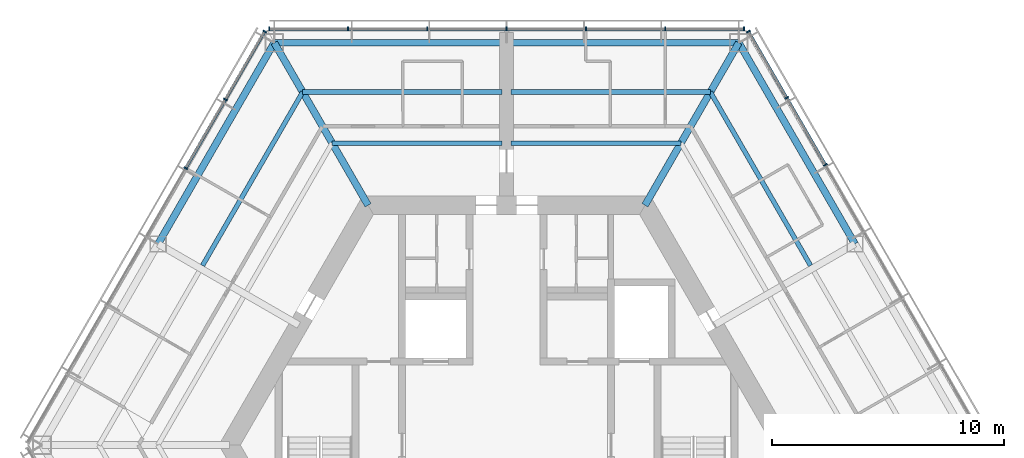
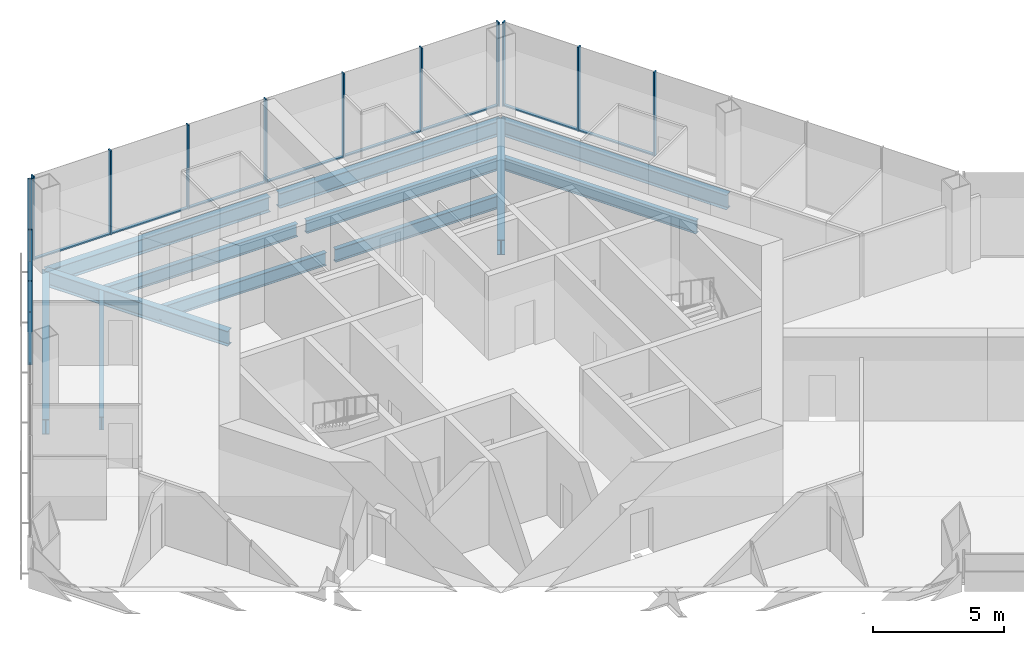
# One storey, part 5 of 13: 23 members, 12 beams, 3 elements without a shape of their own.
"""IFC4 building model written with IfcOpenShell, lengths in metres."""

from ifc_helpers import new_model, si_unit, direction, frame, origin, origin_2d, place, context, subcontext, project, spatial, rectangle, i_section, extrude, material, material_profile, profile_set, type_object, element, aggregate, save


model = new_model("IFC4")

# Units and contexts
model_context = context("Model", 3, precision=1e-05, world=origin(), true_north=direction((0.0, 1.0)))
body_context = subcontext(model_context, "Body", "Model", "MODEL_VIEW")
ifc_project = project(units=[si_unit("LENGTHUNIT", "METRE"), si_unit("AREAUNIT", "SQUARE_METRE"), si_unit("VOLUMEUNIT", "CUBIC_METRE"), si_unit("PLANEANGLEUNIT", "RADIAN"), si_unit("MASSUNIT", "GRAM", prefix="KILO")], contexts=[model_context])

# Site, building, storey
site_placement = place(None, origin())
site = spatial("IfcSite", under=ifc_project, at=site_placement, CompositionType="ELEMENT")
building_placement = place(site_placement, origin())
building = spatial("IfcBuilding", under=site, at=building_placement, Name="Kasaneha Research Tower", CompositionType="ELEMENT")
storey_placement = place(building_placement, frame((0.0, 0.0, 279.10009765625)))
storey = spatial("IfcBuildingStorey", under=building, at=storey_placement, Name="L70", CompositionType="ELEMENT", Elevation=279.10009765625)

# Beams
ifc_material_1 = material(Name="Steel SN490B", Category="steel")
ifc_material_profile_1 = material_profile(ifc_material_1, i_section(OverallWidth=0.199951171875, OverallDepth=0.60009765625, WebThickness=0.010986328125, FlangeThickness=0.01708984375, FilletRadius=0.012939453125, at=origin_2d()), Name="H-600x200x11x17")
ifc_profile_set_1 = profile_set([ifc_material_profile_1], Name="Steel SN490B")
beam_type_1 = type_object("IfcBeamType", Name="B1-3 secondary beam H-600x200x11x17", PredefinedType="JOIST", material=ifc_profile_set_1)
beam_1_placement = place(storey_placement, frame((8.775634765625, 15.199951171875, -0.4501953125), z_axis=(0.500017275495, -0.866015429543, 0.0), x_axis=(0.866015429543, 0.500017275495, 0.0)))
element("IfcBeam", 1, at=beam_1_placement, inside=storey, type_object=beam_type_1, Name="Secondary beam RS030R2 L70", PredefinedType="JOIST", context=body_context, shape_type="SweptSolid", body=[
    extrude(i_section(OverallWidth=0.199951171875, OverallDepth=0.60009765625, WebThickness=0.010986328125, FlangeThickness=0.01708984375, FilletRadius=0.012939453125, at=origin_2d()), origin(), (0.0, 0.0, 1.0), 8.625732421875),
])
beam_2_placement = place(storey_placement, frame((7.505615234375, 13.0, -0.4501953125), z_axis=(-1.0, 0.0, 0.0), x_axis=(0.0, -1.0, 0.0)))
element("IfcBeam", 2, at=beam_2_placement, inside=storey, type_object=beam_type_1, Name="Secondary beam RS090L1 L70", PredefinedType="JOIST", context=body_context, shape_type="SweptSolid", body=[
    extrude(i_section(OverallWidth=0.199951171875, OverallDepth=0.60009765625, WebThickness=0.010986328125, FlangeThickness=0.01708984375, FilletRadius=0.012939453125, at=origin_2d()), origin(), (0.0, 0.0, 1.0), 7.3056640625),
])
beam_3_placement = place(storey_placement, frame((8.775634765625, 15.199951171875, -0.4501953125), z_axis=(-1.0, 0.0, 0.0), x_axis=(0.0, -1.0, 0.0)))
element("IfcBeam", 3, at=beam_3_placement, inside=storey, type_object=beam_type_1, Name="Secondary beam RS090L2 L70", PredefinedType="JOIST", context=body_context, shape_type="SweptSolid", body=[
    extrude(i_section(OverallWidth=0.199951171875, OverallDepth=0.60009765625, WebThickness=0.010986328125, FlangeThickness=0.01708984375, FilletRadius=0.012939453125, at=origin_2d()), origin(), (0.0, 0.0, 1.0), 8.57568359375),
])
beam_4_placement = place(storey_placement, frame((-7.505615234375, 13.0, -0.4501953125), z_axis=(1.0, 0.0, 0.0), x_axis=(0.0, 1.0, 0.0)))
element("IfcBeam", 4, at=beam_4_placement, inside=storey, type_object=beam_type_1, Name="Secondary beam RS090R1 L70", PredefinedType="JOIST", context=body_context, shape_type="SweptSolid", body=[
    extrude(i_section(OverallWidth=0.199951171875, OverallDepth=0.60009765625, WebThickness=0.010986328125, FlangeThickness=0.01708984375, FilletRadius=0.012939453125, at=origin_2d()), origin(), (0.0, 0.0, 1.0), 7.3056640625),
])
beam_5_placement = place(storey_placement, frame((-8.775634765625, 15.199951171875, -0.4501953125), z_axis=(1.0, 0.0, 0.0), x_axis=(0.0, 1.0, 0.0)))
element("IfcBeam", 5, at=beam_5_placement, inside=storey, type_object=beam_type_1, Name="Secondary beam RS090R2 L70", PredefinedType="JOIST", context=body_context, shape_type="SweptSolid", body=[
    extrude(i_section(OverallWidth=0.199951171875, OverallDepth=0.60009765625, WebThickness=0.010986328125, FlangeThickness=0.01708984375, FilletRadius=0.012939453125, at=origin_2d()), origin(), (0.0, 0.0, 1.0), 8.57568359375),
])
beam_6_placement = place(storey_placement, frame((-8.775634765625, 15.199951171875, -0.4501953125), z_axis=(-0.500017275495, -0.866015429543, 0.0), x_axis=(0.866015429543, -0.500017275495, 0.0)))
element("IfcBeam", 6, at=beam_6_placement, inside=storey, type_object=beam_type_1, Name="Secondary beam RS150L2 L70", PredefinedType="JOIST", context=body_context, shape_type="SweptSolid", body=[
    extrude(i_section(OverallWidth=0.199951171875, OverallDepth=0.60009765625, WebThickness=0.010986328125, FlangeThickness=0.01708984375, FilletRadius=0.012939453125, at=origin_2d()), origin(), (0.0, 0.0, 1.0), 8.625732421875),
])

# Curtain wall, members
ifc_material_2 = material(Name="Glass and aluminium", Category="aluminium")
curtain_wall_type = type_object("IfcCurtainWallType", Name="Crown curtain wall", PredefinedType="USERDEFINED", material=ifc_material_2)
curtain_wall_1_placement = place(storey_placement, origin())
curtain_wall_1 = element("IfcCurtainWall", 7, at=curtain_wall_1_placement, inside=storey, type_object=curtain_wall_type, Name="CW-C L70 run 01a", ObjectType="UNITISED CURTAIN WALL", PredefinedType="USERDEFINED")
ifc_material_3 = material(Name="Aluminium 6063-T6", Category="aluminium")
ifc_material_profile_2 = material_profile(ifc_material_3, rectangle(XDim=0.06005859375, YDim=0.179931640625, at=origin_2d()), Name="CW-C mullion 60x180")
ifc_profile_set_2 = profile_set([ifc_material_profile_2], Name="Aluminium 6063-T6")
member_type_1 = type_object("IfcMemberType", Name="CW-C mullion", PredefinedType="MULLION", material=ifc_profile_set_2)
member_1_placement = place(storey_placement, frame((13.727294921875, 12.064453125, 0.0), z_axis=(0.0, 0.0, 1.0), x_axis=(-0.499999979232, 0.866025415775, 0.0)))
member_1 = element("IfcMember", 8, at=member_1_placement, type_object=member_type_1, Name="CW-C mullion 5", PredefinedType="MULLION", context=body_context, shape_type="SweptSolid", body=[
    extrude(rectangle(XDim=0.06005859375, YDim=0.179931640625, at=origin_2d()), origin(), (0.0, 0.0, 1.0), 3.89990234375),
])
member_2_placement = place(storey_placement, frame((12.061767578125, 14.94921875, 0.0), z_axis=(0.0, 0.0, 1.0), x_axis=(-0.499999979232, 0.866025415775, 0.0)))
member_2 = element("IfcMember", 9, at=member_2_placement, type_object=member_type_1, Name="CW-C mullion 6", PredefinedType="MULLION", context=body_context, shape_type="SweptSolid", body=[
    extrude(rectangle(XDim=0.06005859375, YDim=0.179931640625, at=origin_2d()), origin(), (0.0, 0.0, 1.0), 3.89990234375),
])
member_3_placement = place(storey_placement, frame((10.411376953125, 17.807861328125, 0.0), z_axis=(0.0, 0.0, 1.0), x_axis=(-0.499999979232, 0.866025415775, 0.0)))
member_3 = element("IfcMember", 10, at=member_3_placement, type_object=member_type_1, Name="CW-C mullion 7", PredefinedType="MULLION", context=body_context, shape_type="SweptSolid", body=[
    extrude(rectangle(XDim=0.06005859375, YDim=0.179931640625, at=origin_2d()), origin(), (0.0, 0.0, 1.0), 3.89990234375),
])

curtain_wall_2_placement = place(storey_placement, origin())
curtain_wall_2 = element("IfcCurtainWall", 11, at=curtain_wall_2_placement, inside=storey, type_object=curtain_wall_type, Name="CW-C L70 run 02a", ObjectType="UNITISED CURTAIN WALL", PredefinedType="USERDEFINED")
member_4_placement = place(storey_placement, frame((10.21630859375, 17.92041015625, 0.0), z_axis=(0.0, 0.0, 1.0), x_axis=(-1.0, 0.0, 0.0)))
member_4 = element("IfcMember", 12, at=member_4_placement, type_object=member_type_1, Name="CW-C mullion 1", PredefinedType="MULLION", context=body_context, shape_type="SweptSolid", body=[
    extrude(rectangle(XDim=0.06005859375, YDim=0.179931640625, at=origin_2d()), origin(), (0.0, 0.0, 1.0), 3.89990234375),
])
member_5_placement = place(storey_placement, frame((6.8310546875, 17.92041015625, 0.0), z_axis=(0.0, 0.0, 1.0), x_axis=(-1.0, 0.0, 0.0)))
member_5 = element("IfcMember", 13, at=member_5_placement, type_object=member_type_1, Name="CW-C mullion 2", PredefinedType="MULLION", context=body_context, shape_type="SweptSolid", body=[
    extrude(rectangle(XDim=0.06005859375, YDim=0.179931640625, at=origin_2d()), origin(), (0.0, 0.0, 1.0), 3.89990234375),
])
member_6_placement = place(storey_placement, frame((3.41552734375, 17.92041015625, 0.0), z_axis=(0.0, 0.0, 1.0), x_axis=(-1.0, 0.0, 0.0)))
member_6 = element("IfcMember", 14, at=member_6_placement, type_object=member_type_1, Name="CW-C mullion 3", PredefinedType="MULLION", context=body_context, shape_type="SweptSolid", body=[
    extrude(rectangle(XDim=0.06005859375, YDim=0.179931640625, at=origin_2d()), origin(), (0.0, 0.0, 1.0), 3.89990234375),
])
member_7_placement = place(storey_placement, frame((0.0, 17.92041015625, 0.0), z_axis=(0.0, 0.0, 1.0), x_axis=(-1.0, 0.0, 0.0)))
member_7 = element("IfcMember", 15, at=member_7_placement, type_object=member_type_1, Name="CW-C mullion 4", PredefinedType="MULLION", context=body_context, shape_type="SweptSolid", body=[
    extrude(rectangle(XDim=0.06005859375, YDim=0.179931640625, at=origin_2d()), origin(), (0.0, 0.0, 1.0), 3.89990234375),
])
member_8_placement = place(storey_placement, frame((-3.41552734375, 17.92041015625, 0.0), z_axis=(0.0, 0.0, 1.0), x_axis=(-1.0, 0.0, 0.0)))
member_8 = element("IfcMember", 16, at=member_8_placement, type_object=member_type_1, Name="CW-C mullion 5", PredefinedType="MULLION", context=body_context, shape_type="SweptSolid", body=[
    extrude(rectangle(XDim=0.06005859375, YDim=0.179931640625, at=origin_2d()), origin(), (0.0, 0.0, 1.0), 3.89990234375),
])
member_9_placement = place(storey_placement, frame((-6.8310546875, 17.92041015625, 0.0), z_axis=(0.0, 0.0, 1.0), x_axis=(-1.0, 0.0, 0.0)))
member_9 = element("IfcMember", 17, at=member_9_placement, type_object=member_type_1, Name="CW-C mullion 6", PredefinedType="MULLION", context=body_context, shape_type="SweptSolid", body=[
    extrude(rectangle(XDim=0.06005859375, YDim=0.179931640625, at=origin_2d()), origin(), (0.0, 0.0, 1.0), 3.89990234375),
])
member_10_placement = place(storey_placement, frame((-10.21630859375, 17.92041015625, 0.0), z_axis=(0.0, 0.0, 1.0), x_axis=(-1.0, 0.0, 0.0)))
member_10 = element("IfcMember", 18, at=member_10_placement, type_object=member_type_1, Name="CW-C mullion 7", PredefinedType="MULLION", context=body_context, shape_type="SweptSolid", body=[
    extrude(rectangle(XDim=0.06005859375, YDim=0.179931640625, at=origin_2d()), origin(), (0.0, 0.0, 1.0), 3.89990234375),
])

curtain_wall_3_placement = place(storey_placement, origin())
curtain_wall_3 = element("IfcCurtainWall", 19, at=curtain_wall_3_placement, inside=storey, type_object=curtain_wall_type, Name="CW-C L70 run 03a", ObjectType="UNITISED CURTAIN WALL", PredefinedType="USERDEFINED")
member_11_placement = place(storey_placement, frame((-10.411376953125, 17.807861328125, 0.0), z_axis=(0.0, 0.0, 1.0), x_axis=(-0.499999995722, -0.866025406254, 0.0)))
member_11 = element("IfcMember", 20, at=member_11_placement, type_object=member_type_1, Name="CW-C mullion 1", PredefinedType="MULLION", context=body_context, shape_type="SweptSolid", body=[
    extrude(rectangle(XDim=0.06005859375, YDim=0.179931640625, at=origin_2d()), origin(), (0.0, 0.0, 1.0), 3.89990234375),
])
member_12_placement = place(storey_placement, frame((-12.104248046875, 14.8759765625, 0.0), z_axis=(0.0, 0.0, 1.0), x_axis=(-0.499999995722, -0.866025406254, 0.0)))
member_12 = element("IfcMember", 21, at=member_12_placement, type_object=member_type_1, Name="CW-C mullion 2", PredefinedType="MULLION", context=body_context, shape_type="SweptSolid", body=[
    extrude(rectangle(XDim=0.06005859375, YDim=0.179931640625, at=origin_2d()), origin(), (0.0, 0.0, 1.0), 3.89990234375),
])
member_13_placement = place(storey_placement, frame((-13.811767578125, 11.918212890625, 0.0), z_axis=(0.0, 0.0, 1.0), x_axis=(-0.499999995722, -0.866025406254, 0.0)))
member_13 = element("IfcMember", 22, at=member_13_placement, type_object=member_type_1, Name="CW-C mullion 3", PredefinedType="MULLION", context=body_context, shape_type="SweptSolid", body=[
    extrude(rectangle(XDim=0.06005859375, YDim=0.179931640625, at=origin_2d()), origin(), (0.0, 0.0, 1.0), 3.89990234375),
])

# Member
ifc_material_4 = material(Name="Aluminium 6063-T6", Category="aluminium")
ifc_material_profile_3 = material_profile(ifc_material_4, rectangle(XDim=0.1298828125, YDim=0.06005859375, at=origin_2d()), Name="CW-C transom 130x60")
ifc_profile_set_3 = profile_set([ifc_material_profile_3], Name="Aluminium 6063-T6")
member_type_2 = type_object("IfcMemberType", Name="CW-C transom", PredefinedType="USERDEFINED", material=ifc_profile_set_3)
member_14_placement = place(storey_placement, frame((13.71240234375, 12.090576171875, 0.02978515625), z_axis=(-0.500000270186, 0.866025247793, 0.0), x_axis=(-0.866025247793, -0.500000270186, 0.0)))
member_14 = element("IfcMember", 23, at=member_14_placement, type_object=member_type_2, Name="CW-C transom 5", ObjectType="TRANSOM", PredefinedType="USERDEFINED", context=body_context, shape_type="SweptSolid", body=[
    extrude(rectangle(XDim=0.1298828125, YDim=0.06005859375, at=origin_2d()), origin(), (0.0, 0.0, 1.0), 3.27099609375),
])

member_15_placement = place(storey_placement, frame((12.046875, 14.97509765625, 0.02978515625), z_axis=(-0.499955025697, 0.866051368154, 0.0), x_axis=(-0.866051368154, -0.499955025697, 0.0)))
member_15 = element("IfcMember", 24, at=member_15_placement, type_object=member_type_2, Name="CW-C transom 6", ObjectType="TRANSOM", PredefinedType="USERDEFINED", context=body_context, shape_type="SweptSolid", body=[
    extrude(rectangle(XDim=0.1298828125, YDim=0.06005859375, at=origin_2d()), origin(), (0.0, 0.0, 1.0), 3.240966796875),
])

aggregate(curtain_wall_1, [member_1, member_2, member_3, member_14, member_15])

member_16_placement = place(storey_placement, frame((10.1865234375, 17.92041015625, 0.02978515625), z_axis=(-1.0, 0.0, 0.0), x_axis=(0.0, -1.0, 0.0)))
member_16 = element("IfcMember", 25, at=member_16_placement, type_object=member_type_2, Name="CW-C transom 1", ObjectType="TRANSOM", PredefinedType="USERDEFINED", context=body_context, shape_type="SweptSolid", body=[
    extrude(rectangle(XDim=0.1298828125, YDim=0.06005859375, at=origin_2d()), origin(), (0.0, 0.0, 1.0), 3.32568359375),
])

member_17_placement = place(storey_placement, frame((6.801025390625, 17.92041015625, 0.02978515625), z_axis=(-1.0, 0.0, 0.0), x_axis=(0.0, -1.0, 0.0)))
member_17 = element("IfcMember", 26, at=member_17_placement, type_object=member_type_2, Name="CW-C transom 2", ObjectType="TRANSOM", PredefinedType="USERDEFINED", context=body_context, shape_type="SweptSolid", body=[
    extrude(rectangle(XDim=0.1298828125, YDim=0.06005859375, at=origin_2d()), origin(), (0.0, 0.0, 1.0), 3.35546875),
])

member_18_placement = place(storey_placement, frame((3.385498046875, 17.92041015625, 0.02978515625), z_axis=(-1.0, 0.0, 0.0), x_axis=(0.0, -1.0, 0.0)))
member_18 = element("IfcMember", 27, at=member_18_placement, type_object=member_type_2, Name="CW-C transom 3", ObjectType="TRANSOM", PredefinedType="USERDEFINED", context=body_context, shape_type="SweptSolid", body=[
    extrude(rectangle(XDim=0.1298828125, YDim=0.06005859375, at=origin_2d()), origin(), (0.0, 0.0, 1.0), 3.35546875),
])

member_19_placement = place(storey_placement, frame((-0.030029296875, 17.92041015625, 0.02978515625), z_axis=(-1.0, 0.0, 0.0), x_axis=(0.0, -1.0, 0.0)))
member_19 = element("IfcMember", 28, at=member_19_placement, type_object=member_type_2, Name="CW-C transom 4", ObjectType="TRANSOM", PredefinedType="USERDEFINED", context=body_context, shape_type="SweptSolid", body=[
    extrude(rectangle(XDim=0.1298828125, YDim=0.06005859375, at=origin_2d()), origin(), (0.0, 0.0, 1.0), 3.35546875),
])

member_20_placement = place(storey_placement, frame((-3.445556640625, 17.92041015625, 0.02978515625), z_axis=(-1.0, 0.0, 0.0), x_axis=(0.0, -1.0, 0.0)))
member_20 = element("IfcMember", 29, at=member_20_placement, type_object=member_type_2, Name="CW-C transom 5", ObjectType="TRANSOM", PredefinedType="USERDEFINED", context=body_context, shape_type="SweptSolid", body=[
    extrude(rectangle(XDim=0.1298828125, YDim=0.06005859375, at=origin_2d()), origin(), (0.0, 0.0, 1.0), 3.35546875),
])

member_21_placement = place(storey_placement, frame((-6.86083984375, 17.92041015625, 0.02978515625), z_axis=(-1.0, 0.0, 0.0), x_axis=(0.0, -1.0, 0.0)))
member_21 = element("IfcMember", 30, at=member_21_placement, type_object=member_type_2, Name="CW-C transom 6", ObjectType="TRANSOM", PredefinedType="USERDEFINED", context=body_context, shape_type="SweptSolid", body=[
    extrude(rectangle(XDim=0.1298828125, YDim=0.06005859375, at=origin_2d()), origin(), (0.0, 0.0, 1.0), 3.32568359375),
])

aggregate(curtain_wall_2, [member_4, member_5, member_6, member_7, member_8, member_9, member_10, member_16, member_17, member_18, member_19, member_20, member_21])

member_22_placement = place(storey_placement, frame((-10.426513671875, 17.781982421875, 0.02978515625), z_axis=(-0.49997666526, -0.866038875684, 0.0), x_axis=(0.866038875684, -0.49997666526, 0.0)))
member_22 = element("IfcMember", 31, at=member_22_placement, type_object=member_type_2, Name="CW-C transom 1", ObjectType="TRANSOM", PredefinedType="USERDEFINED", context=body_context, shape_type="SweptSolid", body=[
    extrude(rectangle(XDim=0.1298828125, YDim=0.06005859375, at=origin_2d()), origin(), (0.0, 0.0, 1.0), 3.325439453125),
])

member_23_placement = place(storey_placement, frame((-12.119140625, 14.85009765625, 0.02978515625), z_axis=(-0.499989072476, -0.866031712701, 0.0), x_axis=(0.866031712701, -0.499989072476, 0.0)))
member_23 = element("IfcMember", 32, at=member_23_placement, type_object=member_type_2, Name="CW-C transom 2", ObjectType="TRANSOM", PredefinedType="USERDEFINED", context=body_context, shape_type="SweptSolid", body=[
    extrude(rectangle(XDim=0.1298828125, YDim=0.06005859375, at=origin_2d()), origin(), (0.0, 0.0, 1.0), 3.35546875),
])

aggregate(curtain_wall_3, [member_11, member_12, member_13, member_22, member_23])

# Beams
ifc_material_5 = material(Name="Steel SN490B", Category="steel")
ifc_material_profile_4 = material_profile(ifc_material_5, i_section(OverallWidth=0.300048828125, OverallDepth=0.699951171875, WebThickness=0.012939453125, FlangeThickness=0.02392578125, FilletRadius=0.01806640625, at=origin_2d()), Name="H-700x300x13x24")
ifc_profile_set_4 = profile_set([ifc_material_profile_4], Name="Steel SN490B")
beam_type_2 = type_object("IfcBeamType", Name="G1-3 radial girder H-700x300x13x24", PredefinedType="BEAM", material=ifc_profile_set_4)
for number, where, z_axis, x_axis, name in (
    (33, (5.961181640625, 10.324951171875, -0.5), (0.49999105496, 0.866030568144, 0.0), (-0.866030568144, 0.49999105496, 0.0), "Radial girder RV060 L70"),
    (34, (-5.961181640625, 10.324951171875, -0.5), (-0.49999105496, 0.866030568144, 0.0), (-0.866030568144, -0.49999105496, 0.0), "Radial girder RV120 L70"),
):
    element("IfcBeam", number, at=place(storey_placement, frame(where, z_axis=z_axis, x_axis=x_axis)), inside=storey, type_object=beam_type_2, Name=name, PredefinedType="BEAM", context=body_context, shape_type="SweptSolid", body=[
        extrude(i_section(OverallWidth=0.300048828125, OverallDepth=0.699951171875, WebThickness=0.012939453125, FlangeThickness=0.02392578125, FilletRadius=0.01806640625, at=origin_2d()), origin(), (0.0, 0.0, 1.0), 8.077880859375),
    ])
ifc_material_6 = material(Name="Steel SN490B", Category="steel")
ifc_material_profile_5 = material_profile(ifc_material_6, i_section(OverallWidth=0.300048828125, OverallDepth=0.69189453125, WebThickness=0.012939453125, FlangeThickness=0.02001953125, FilletRadius=0.01806640625, at=origin_2d()), Name="H-692x300x13x20")
ifc_profile_set_5 = profile_set([ifc_material_profile_5], Name="Steel SN490B")
beam_type_3 = type_object("IfcBeamType", Name="G3-3 plate edge girder H-692x300x13x20", PredefinedType="BEAM", material=ifc_profile_set_5)
for number, where, z_axis, x_axis, name in (
    (35, (10.0, 17.320556640625, -0.49609375), (-1.0, 0.0, 0.0), (0.0, -1.0, 0.0), "Plate edge girder PEAP L70"),
    (36, (-10.0, 17.320556640625, -0.49609375), (1.0, 0.0, 0.0), (0.0, 1.0, 0.0), "Plate edge girder PEAN L70"),
):
    element("IfcBeam", number, at=place(storey_placement, frame(where, z_axis=z_axis, x_axis=x_axis)), inside=storey, type_object=beam_type_3, Name=name, PredefinedType="BEAM", context=body_context, shape_type="SweptSolid", body=[
        extrude(i_section(OverallWidth=0.300048828125, OverallDepth=0.69189453125, WebThickness=0.012939453125, FlangeThickness=0.02001953125, FilletRadius=0.01806640625, at=origin_2d()), origin(), (0.0, 0.0, 1.0), 9.800048828125),
    ])
ifc_material_7 = material(Name="Steel SN490B", Category="steel")
ifc_material_profile_6 = material_profile(ifc_material_7, i_section(OverallWidth=0.300048828125, OverallDepth=0.69189453125, WebThickness=0.012939453125, FlangeThickness=0.02001953125, FilletRadius=0.01806640625, at=origin_2d()), Name="H-692x300x13x20")
ifc_profile_set_6 = profile_set([ifc_material_profile_6], Name="Steel SN490B")
beam_type_4 = type_object("IfcBeamType", Name="SB1-3 spandrel beam H-692x300x13x20", PredefinedType="SPANDREL", material=ifc_profile_set_6)
for number, where, z_axis, x_axis, name in (
    (37, (10.0, 17.320556640625, -0.49609375), (0.499993662806, -0.866029062534, 0.0), (0.866029062534, 0.499993662806, 0.0), "Spandrel beam SR030R L70"),
    (38, (-10.0, 17.320556640625, -0.49609375), (-0.499993662806, -0.866029062534, 0.0), (0.866029062534, -0.499993662806, 0.0), "Spandrel beam SR150L L70"),
):
    element("IfcBeam", number, at=place(storey_placement, frame(where, z_axis=z_axis, x_axis=x_axis)), inside=storey, type_object=beam_type_4, Name=name, PredefinedType="SPANDREL", context=body_context, shape_type="SweptSolid", body=[
        extrude(i_section(OverallWidth=0.300048828125, OverallDepth=0.69189453125, WebThickness=0.012939453125, FlangeThickness=0.02001953125, FilletRadius=0.01806640625, at=origin_2d()), origin(), (0.0, 0.0, 1.0), 10.000244140625),
    ])

save(model, "model.ifc")
